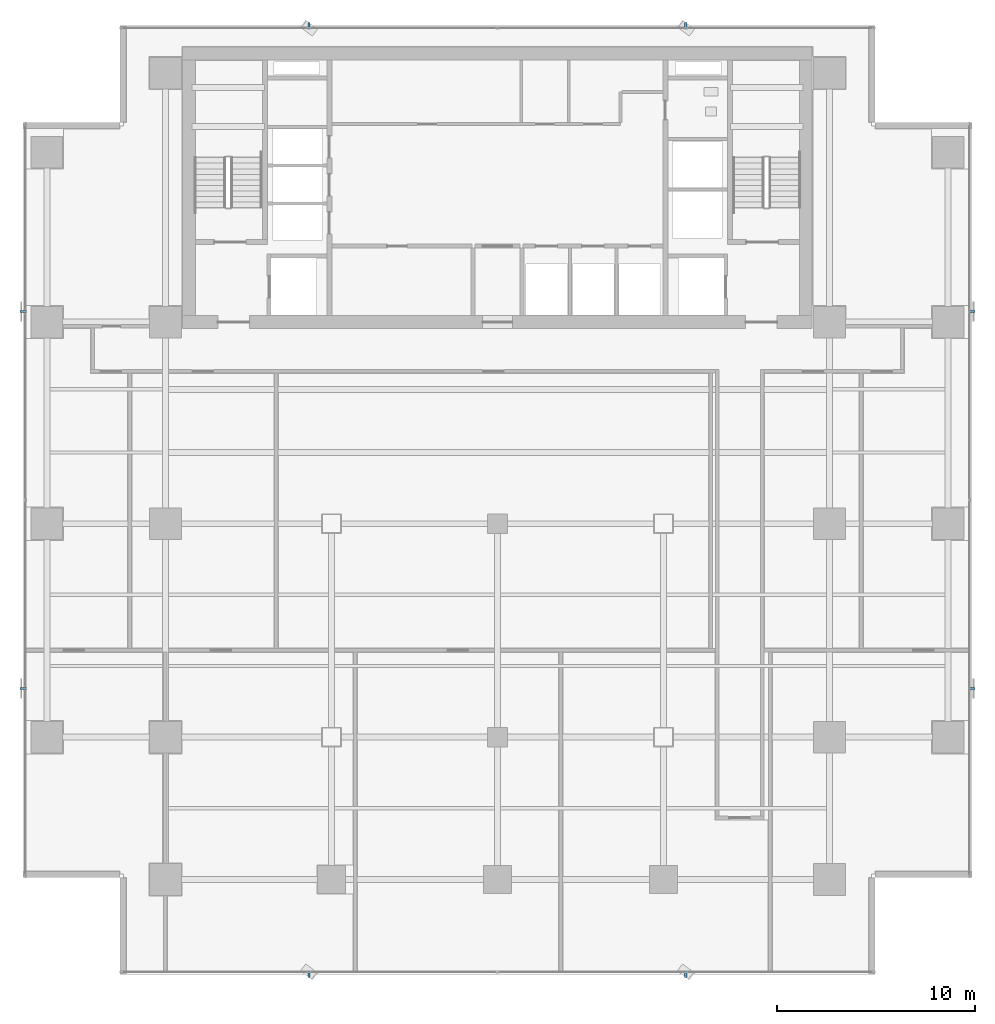
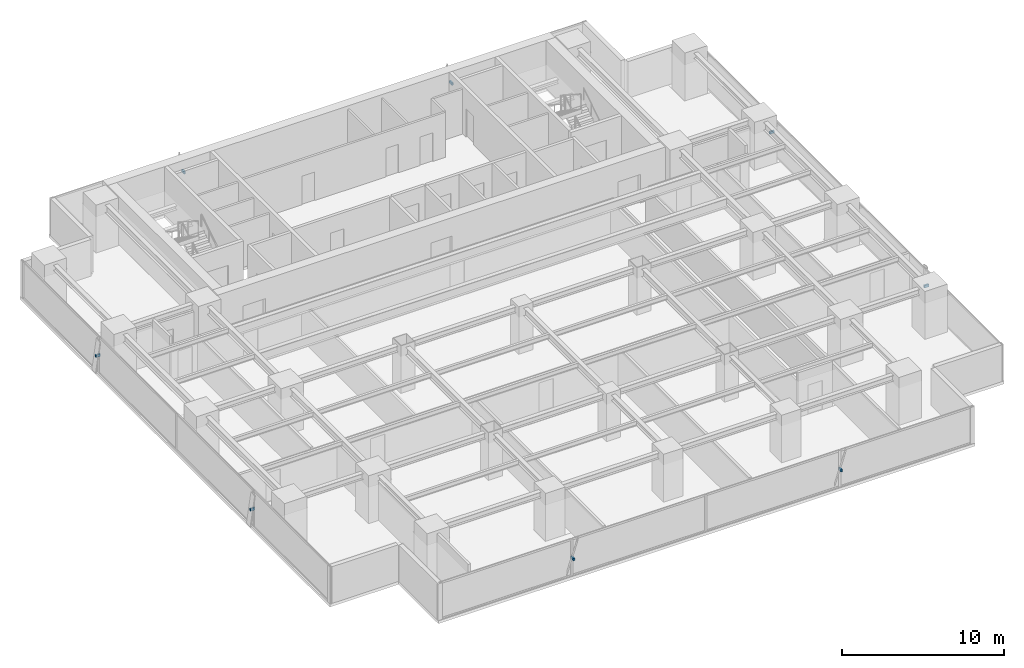
# One storey, part 23 of 28: 8 discrete accessories.
"""IFC4 building model written with IfcOpenShell, lengths in metres."""

from ifc_helpers import new_model, si_unit, direction, frame, origin, origin_2d, place, context, subcontext, project, spatial, rectangle, extrude, source, transform, mapped, material, material_profile, profile_set, type_object, element, save


model = new_model("IFC4")

# Units and contexts
model_context = context("Model", 3, precision=1e-05, world=origin(), true_north=direction((0.0, 1.0)))
body_context = subcontext(model_context, "Body", "Model", "MODEL_VIEW")
ifc_project = project(units=[si_unit("LENGTHUNIT", "METRE"), si_unit("AREAUNIT", "SQUARE_METRE"), si_unit("VOLUMEUNIT", "CUBIC_METRE"), si_unit("PLANEANGLEUNIT", "RADIAN"), si_unit("MASSUNIT", "GRAM", prefix="KILO")], contexts=[model_context])

# Site, building, storey
site_placement = place(None, origin())
site = spatial("IfcSite", under=ifc_project, at=site_placement, CompositionType="ELEMENT")
building_placement = place(site_placement, origin())
building = spatial("IfcBuilding", under=site, at=building_placement, Name="Sumidabori Civic Tower", CompositionType="ELEMENT")
storey_placement = place(building_placement, frame((0.0, 0.0, 167.60009765625)))
storey = spatial("IfcBuildingStorey", under=building, at=storey_placement, Name="L43", CompositionType="ELEMENT", Elevation=167.60009765625)

# Discrete accessories
ifc_material = material(Name="Stainless Steel Hairline Finish", Category="steel")
ifc_material_profile = material_profile(ifc_material, rectangle(XDim=0.1201171875, YDim=0.179931640625, at=origin_2d()), Name="STEEL BRACKET 180x120")
ifc_profile_set = profile_set([ifc_material_profile], Name="Stainless Steel Hairline Finish")
discrete_accessory_type = type_object("IfcDiscreteAccessoryType", Name="AC-BRK-180", PredefinedType="BRACKET", material=ifc_profile_set)
shared_shape_1 = source(origin(), body_context, "Body", "SweptSolid", [
    extrude(rectangle(XDim=0.1201171875, YDim=0.179931640625, at=origin_2d()), origin(), (0.0, 0.0, 1.0), 0.329833984375),
])
for number, where, z_axis, x_axis, name in (
    (1, (23.830078125, -8.3349609375, 1.369873046875), (1.0, 0.0, 0.0), (0.0, 1.0, 0.0), "Bronze Fin Fixing Bracket L43-01"),
    (2, (23.830078125, 10.735107421875, 1.369873046875), (1.0, 0.0, 0.0), (0.0, 1.0, 0.0), "Bronze Fin Fixing Bracket L43-03"),
    (3, (-23.830078125, 10.735107421875, 1.369873046875), (-1.0, 0.0, 0.0), (0.0, -1.0, 0.0), "Bronze Fin Fixing Bracket L43-01"),
    (4, (-23.830078125, -8.3349609375, 1.369873046875), (-1.0, 0.0, 0.0), (0.0, -1.0, 0.0), "Bronze Fin Fixing Bracket L43-03"),
):
    element("IfcDiscreteAccessory", number, at=place(storey_placement, frame(where, z_axis=z_axis, x_axis=x_axis)), inside=storey, type_object=discrete_accessory_type, Name=name, PredefinedType="BRACKET", context=body_context, shape_type="MappedRepresentation", body=[
        mapped(shared_shape_1, transform((0.0, 0.0, 0.0), x_axis=(1.0, 0.0, 0.0), y_axis=(0.0, 1.0, 0.0), z_axis=(0.0, 0.0, 1.0), scale=1.0)),
    ])
shared_shape_2 = source(origin(), body_context, "Body", "SweptSolid", [
    extrude(rectangle(XDim=0.1201171875, YDim=0.179931640625, at=origin_2d()), origin(), (0.0, 0.0, 1.0), 0.330078125),
])
for number, where, z_axis, x_axis, name in (
    (5, (-9.534912109375, -22.6298828125, 1.369873046875), (0.0, -1.0, 0.0), (1.0, 0.0, 0.0), "Bronze Fin Fixing Bracket L43-01"),
    (6, (9.534912109375, -22.6298828125, 1.369873046875), (0.0, -1.0, 0.0), (1.0, 0.0, 0.0), "Bronze Fin Fixing Bracket L43-03"),
    (7, (9.534912109375, 25.030029296875, 1.369873046875), (0.0, 1.0, 0.0), (-1.0, 0.0, 0.0), "Bronze Fin Fixing Bracket L43-01"),
    (8, (-9.534912109375, 25.030029296875, 1.369873046875), (0.0, 1.0, 0.0), (-1.0, 0.0, 0.0), "Bronze Fin Fixing Bracket L43-03"),
):
    element("IfcDiscreteAccessory", number, at=place(storey_placement, frame(where, z_axis=z_axis, x_axis=x_axis)), inside=storey, type_object=discrete_accessory_type, Name=name, PredefinedType="BRACKET", context=body_context, shape_type="MappedRepresentation", body=[
        mapped(shared_shape_2, transform((0.0, 0.0, 0.0), x_axis=(1.0, 0.0, 0.0), y_axis=(0.0, 1.0, 0.0), z_axis=(0.0, 0.0, 1.0), scale=1.0)),
    ])

save(model, "model.ifc")
